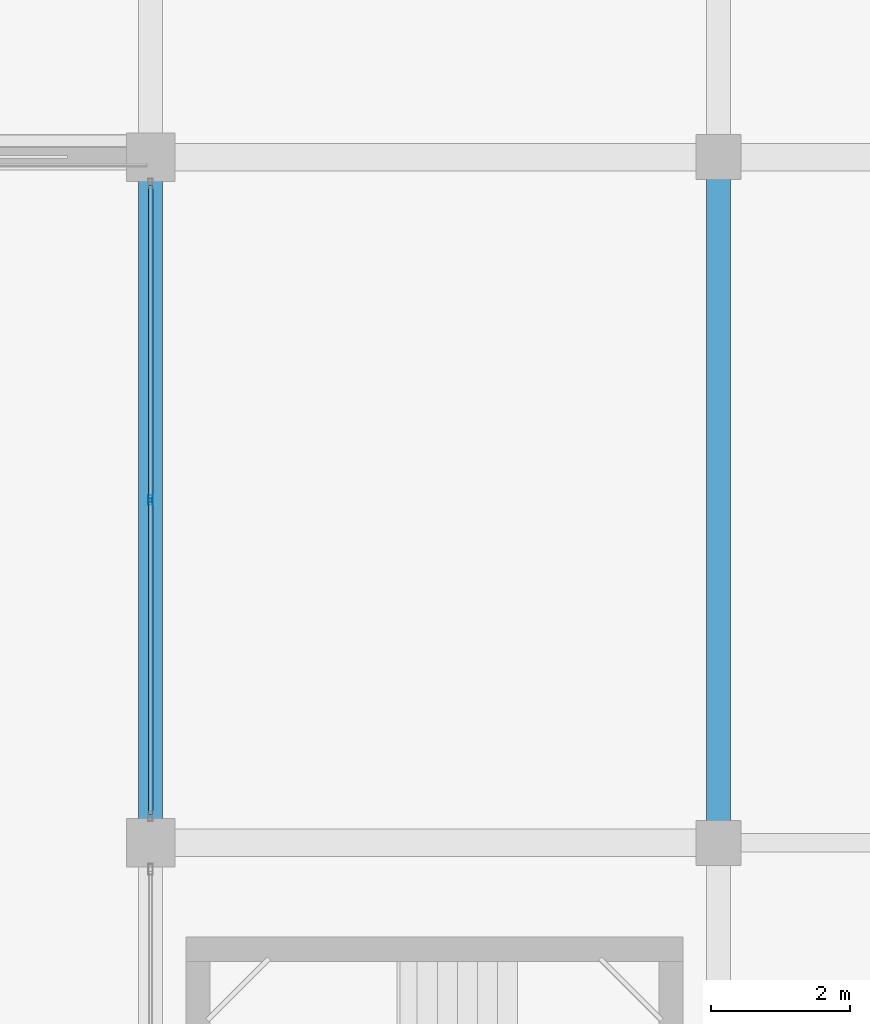
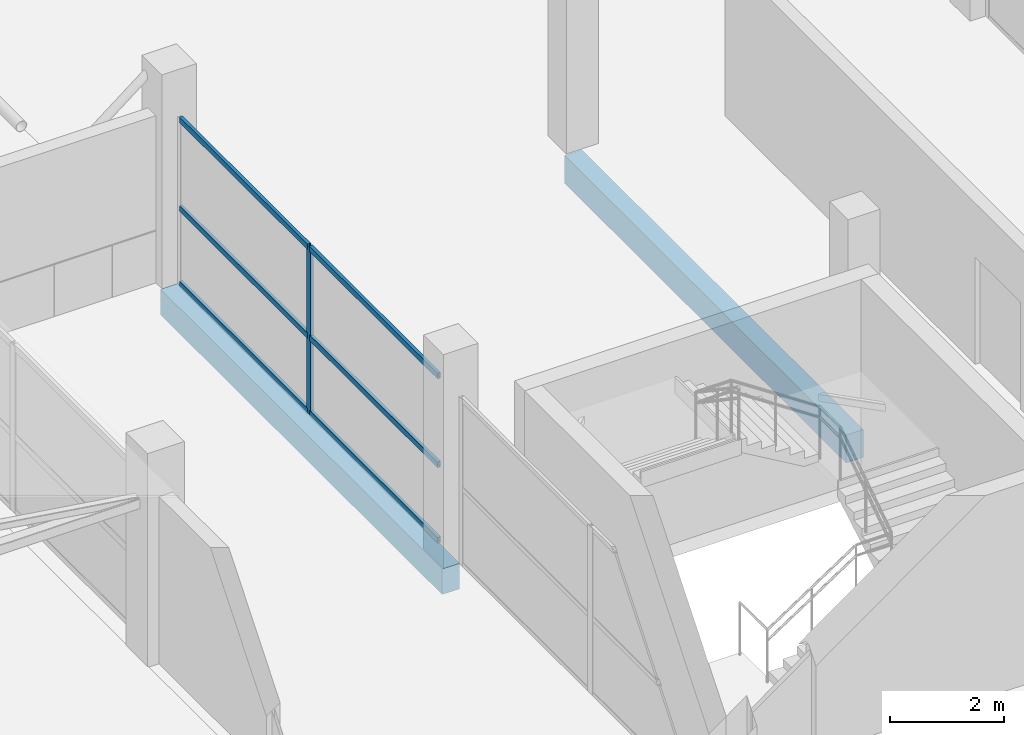
# One storey, part 33 of 69: 7 members, 2 beams, 1 element without a shape of its own.
"""IFC4 building model written with IfcOpenShell, lengths in metres."""

from ifc_helpers import new_model, si_unit, direction, frame, origin, origin_2d, place, context, subcontext, project, spatial, rectangle, hollow_rectangle, extrude, material, layer, layer_set, material_profile, profile_set, type_object, element, aggregate, save


model = new_model("IFC4")

# Units and contexts
model_context = context("Model", 3, precision=1e-05, world=origin(), true_north=direction((0.0, 1.0)))
body_context = subcontext(model_context, "Body", "Model", "MODEL_VIEW")
ifc_project = project(units=[si_unit("LENGTHUNIT", "METRE"), si_unit("AREAUNIT", "SQUARE_METRE"), si_unit("VOLUMEUNIT", "CUBIC_METRE"), si_unit("PLANEANGLEUNIT", "RADIAN"), si_unit("MASSUNIT", "GRAM", prefix="KILO")], contexts=[model_context])

# Site, building, storey
site_placement = place(None, origin())
site = spatial("IfcSite", under=ifc_project, at=site_placement, CompositionType="ELEMENT")
building_placement = place(site_placement, origin())
building = spatial("IfcBuilding", under=site, at=building_placement, Name="Sillaruma Civic Art Gallery", CompositionType="ELEMENT")
storey_placement = place(building_placement, frame((0.0, 0.0, 42.330078125)))
storey = spatial("IfcBuildingStorey", under=building, at=storey_placement, Name="L08", CompositionType="ELEMENT", Elevation=42.330078125)

# Beams
ifc_material_1 = material(Name="Concrete H35 (35 MPa)", Category="concrete")
ifc_material_profile_1 = material_profile(ifc_material_1, rectangle(XDim=0.35009765625, YDim=0.60009765625, at=origin_2d()), Name="RCB350x600")
ifc_profile_set_1 = profile_set([ifc_material_profile_1], Name="Concrete H35 (35 MPa)")
beam_type_1 = type_object("IfcBeamType", Name="BM-BEAM-RCB350x600", PredefinedType="BEAM", material=ifc_profile_set_1)
beam_1_placement = place(storey_placement, frame((106.199951171875, 59.39990234375, -0.580078125), z_axis=(0.0, 1.0, 0.0), x_axis=(-1.0, 0.0, 0.0)))
element("IfcBeam", 1, at=beam_1_placement, inside=storey, type_object=beam_type_1, Name="Beam BM-06 (L07:M:7-8)", PredefinedType="BEAM", context=body_context, shape_type="SweptSolid", body=[
    extrude(rectangle(XDim=0.35009765625, YDim=0.60009765625, at=origin_2d()), origin(), (0.0, 0.0, 1.0), 9.900146484375),
])
ifc_material_profile_2 = material_profile(ifc_material_1, rectangle(XDim=0.35009765625, YDim=0.550048828125, at=origin_2d()), Name="RCB350x550")
ifc_profile_set_2 = profile_set([ifc_material_profile_2], Name="Concrete H35 (35 MPa)")
beam_type_2 = type_object("IfcBeamType", Name="BM-SPANDREL-RCB350x550", PredefinedType="SPANDREL", material=ifc_profile_set_2)
beam_2_placement = place(storey_placement, frame((98.0, 59.39990234375, -0.55517578125), z_axis=(0.0, 1.0, 0.0), x_axis=(-1.0, 0.0, 0.0)))
element("IfcBeam", 2, at=beam_2_placement, inside=storey, type_object=beam_type_2, Name="Beam BS-04 (L07:L:7-8)", PredefinedType="SPANDREL", context=body_context, shape_type="SweptSolid", body=[
    extrude(rectangle(XDim=0.35009765625, YDim=0.550048828125, at=origin_2d()), origin(), (0.0, 0.0, 1.0), 9.900146484375),
])

# Curtain wall, members
ifc_material_2 = material(Name="Thermally Broken Extruded Aluminium 6063-T6", Category="aluminium")
ifc_layer = layer(ifc_material_2, 0.139892578125, Name="Thermally Broken Extruded Aluminium 6063-T6")
ifc_layer_set = layer_set([ifc_layer], Name="Thermally Broken Extruded Aluminium 6063-T6")
curtain_wall_type = type_object("IfcCurtainWallType", Name="CW-UNI-40", PredefinedType="NOTDEFINED", material=ifc_layer_set)
curtain_wall_placement = place(storey_placement, origin())
curtain_wall = element("IfcCurtainWall", 3, at=curtain_wall_placement, inside=storey, type_object=curtain_wall_type, Name="Unitised Curtain Wall CW-40 (CW-L08-EBW-5)", PredefinedType="NOTDEFINED")
ifc_material_profile_3 = material_profile(ifc_material_2, hollow_rectangle(XDim=0.06005859375, YDim=0.139892578125, WallThickness=0.00341796875, at=origin_2d()), Name="CWM60x140")
ifc_profile_set_3 = profile_set([ifc_material_profile_3], Name="Thermally Broken Extruded Aluminium 6063-T6")
member_type_1 = type_object("IfcMemberType", Name="MEM-MUL-CWM60x140", PredefinedType="MULLION", material=ifc_profile_set_3)
member_1_placement = place(storey_placement, frame((98.0, 64.35009765625, 0.0), z_axis=(0.0, 0.0, 1.0), x_axis=(-1.0, 0.0, 0.0)))
member_1 = element("IfcMember", 4, at=member_1_placement, type_object=member_type_1, Name="CW-40 mullion 2", PredefinedType="MULLION", context=body_context, shape_type="SweptSolid", body=[
    extrude(hollow_rectangle(XDim=0.06005859375, YDim=0.139892578125, WallThickness=0.00341796875, at=origin_2d()), origin(), (0.0, 0.0, 1.0), 3.58984375),
])
ifc_material_profile_4 = material_profile(ifc_material_2, hollow_rectangle(XDim=0.06494140625, YDim=0.1201171875, WallThickness=0.00341796875, at=origin_2d()), Name="CWT65x120")
ifc_profile_set_4 = profile_set([ifc_material_profile_4], Name="Thermally Broken Extruded Aluminium 6063-T6")
member_type_2 = type_object("IfcMemberType", Name="MEM-TRN-CWT65x120", PredefinedType="USERDEFINED", material=ifc_profile_set_4)
member_2_placement = place(storey_placement, frame((98.0, 59.81005859375, 0.032470703125), z_axis=(0.0, 1.0, 0.0), x_axis=(-1.0, 0.0, 0.0)))
member_2 = element("IfcMember", 5, at=member_2_placement, type_object=member_type_2, Name="CW-40 transom 1.1", ObjectType="TRANSOM", PredefinedType="USERDEFINED", context=body_context, shape_type="SweptSolid", body=[
    extrude(hollow_rectangle(XDim=0.06494140625, YDim=0.1201171875, WallThickness=0.00341796875, at=origin_2d()), origin(), (0.0, 0.0, 1.0), 4.510009765625),
])
member_3_placement = place(storey_placement, frame((98.0, 59.81005859375, 1.6513671875), z_axis=(0.0, 1.0, 0.0), x_axis=(-1.0, 0.0, 0.0)))
member_3 = element("IfcMember", 6, at=member_3_placement, type_object=member_type_2, Name="CW-40 transom 1.2", ObjectType="TRANSOM", PredefinedType="USERDEFINED", context=body_context, shape_type="SweptSolid", body=[
    extrude(hollow_rectangle(XDim=0.06494140625, YDim=0.1201171875, WallThickness=0.00341796875, at=origin_2d()), origin(), (0.0, 0.0, 1.0), 4.510009765625),
])
member_4_placement = place(storey_placement, frame((98.0, 59.81005859375, 3.557373046875), z_axis=(0.0, 1.0, 0.0), x_axis=(-1.0, 0.0, 0.0)))
member_4 = element("IfcMember", 7, at=member_4_placement, type_object=member_type_2, Name="CW-40 transom 1.3", ObjectType="TRANSOM", PredefinedType="USERDEFINED", context=body_context, shape_type="SweptSolid", body=[
    extrude(hollow_rectangle(XDim=0.06494140625, YDim=0.1201171875, WallThickness=0.00341796875, at=origin_2d()), origin(), (0.0, 0.0, 1.0), 4.510009765625),
])
member_5_placement = place(storey_placement, frame((98.0, 64.3798828125, 0.032470703125), z_axis=(0.0, 1.0, 0.0), x_axis=(-1.0, 0.0, 0.0)))
member_5 = element("IfcMember", 8, at=member_5_placement, type_object=member_type_2, Name="CW-40 transom 2.1", ObjectType="TRANSOM", PredefinedType="USERDEFINED", context=body_context, shape_type="SweptSolid", body=[
    extrude(hollow_rectangle(XDim=0.06494140625, YDim=0.1201171875, WallThickness=0.00341796875, at=origin_2d()), origin(), (0.0, 0.0, 1.0), 4.510009765625),
])
member_6_placement = place(storey_placement, frame((98.0, 64.3798828125, 1.6513671875), z_axis=(0.0, 1.0, 0.0), x_axis=(-1.0, 0.0, 0.0)))
member_6 = element("IfcMember", 9, at=member_6_placement, type_object=member_type_2, Name="CW-40 transom 2.2", ObjectType="TRANSOM", PredefinedType="USERDEFINED", context=body_context, shape_type="SweptSolid", body=[
    extrude(hollow_rectangle(XDim=0.06494140625, YDim=0.1201171875, WallThickness=0.00341796875, at=origin_2d()), origin(), (0.0, 0.0, 1.0), 4.510009765625),
])
member_7_placement = place(storey_placement, frame((98.0, 64.3798828125, 3.557373046875), z_axis=(0.0, 1.0, 0.0), x_axis=(-1.0, 0.0, 0.0)))
member_7 = element("IfcMember", 10, at=member_7_placement, type_object=member_type_2, Name="CW-40 transom 2.3", ObjectType="TRANSOM", PredefinedType="USERDEFINED", context=body_context, shape_type="SweptSolid", body=[
    extrude(hollow_rectangle(XDim=0.06494140625, YDim=0.1201171875, WallThickness=0.00341796875, at=origin_2d()), origin(), (0.0, 0.0, 1.0), 4.510009765625),
])
aggregate(curtain_wall, [member_1, member_2, member_3, member_4, member_5, member_6, member_7])

save(model, "model.ifc")
